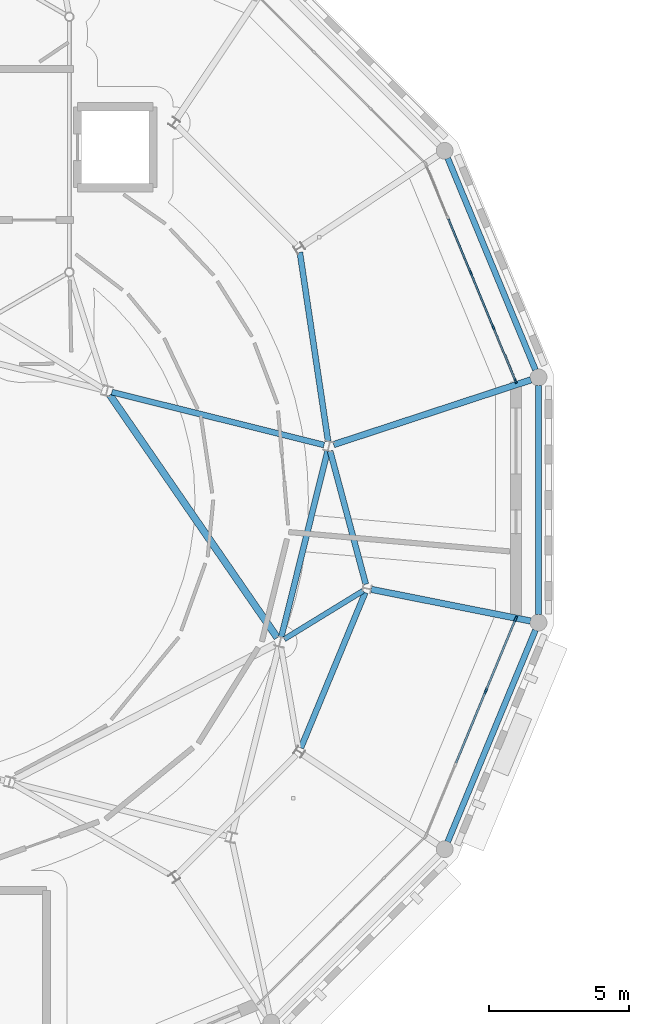
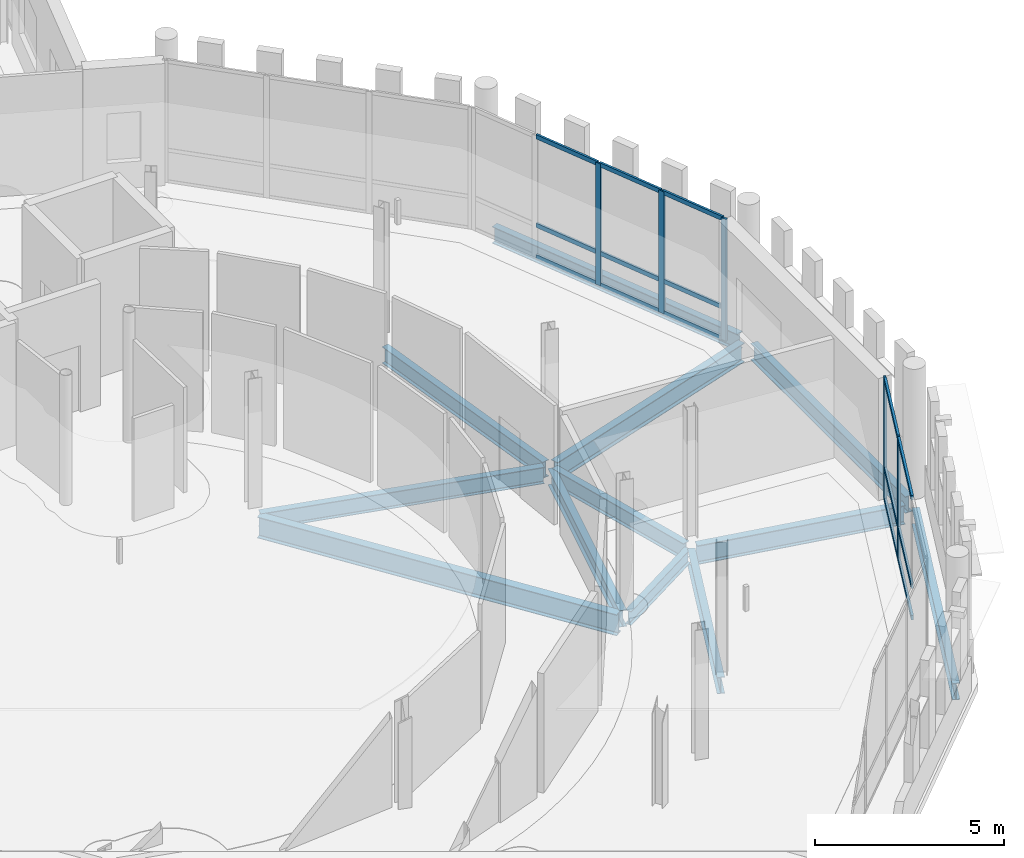
# One storey, part 58 of 125: 20 members, 12 beams, 2 elements without a shape of their own.
"""IFC4 building model written with IfcOpenShell, lengths in metres."""

from ifc_helpers import new_model, si_unit, direction, frame, origin, origin_2d, place, context, subcontext, project, spatial, rectangle, i_section, extrude, material, material_profile, profile_set, type_object, element, aggregate, save


model = new_model("IFC4")

# Units and contexts
model_context = context("Model", 3, precision=1e-05, world=origin(), true_north=direction((0.0, 1.0)))
body_context = subcontext(model_context, "Body", "Model", "MODEL_VIEW")
ifc_project = project(units=[si_unit("LENGTHUNIT", "METRE"), si_unit("AREAUNIT", "SQUARE_METRE"), si_unit("VOLUMEUNIT", "CUBIC_METRE"), si_unit("PLANEANGLEUNIT", "RADIAN"), si_unit("MASSUNIT", "GRAM", prefix="KILO")], contexts=[model_context])

# Site, building, storey
site_placement = place(None, origin())
site = spatial("IfcSite", under=ifc_project, at=site_placement, CompositionType="ELEMENT")
building_placement = place(site_placement, origin())
building = spatial("IfcBuilding", under=site, at=building_placement, Name="Wrenclough Park School", CompositionType="ELEMENT")
storey_placement = place(building_placement, frame((0.0, 0.0, 4.199951171875)))
storey = spatial("IfcBuildingStorey", under=building, at=storey_placement, Name="L01", CompositionType="ELEMENT", Elevation=4.199951171875)

# Curtain wall, members
ifc_material_1 = material(Name="Thermally broken aluminium and low-e glass curtain wall", Category="aluminium")
curtain_wall_type_1 = type_object("IfcCurtainWallType", Name="ENV-CW-13", PredefinedType="USERDEFINED", material=ifc_material_1)
curtain_wall_1_placement = place(storey_placement, origin())
curtain_wall_1 = element("IfcCurtainWall", 1, at=curtain_wall_1_placement, inside=storey, type_object=curtain_wall_type_1, Name="L01 recessed curtain wall assembly 124", ObjectType="CURTAIN WALL", PredefinedType="USERDEFINED")
ifc_material_2 = material(Name="Thermally broken anodised aluminium", Category="aluminium")
ifc_material_profile_1 = material_profile(ifc_material_2, rectangle(XDim=0.06494140625, YDim=0.179931640625, at=origin_2d()), Name="AL MULLION 65x180")
ifc_profile_set_1 = profile_set([ifc_material_profile_1], Name="Thermally broken anodised aluminium")
member_type_1 = type_object("IfcMemberType", Name="ENV-CWM-2", PredefinedType="MULLION", material=ifc_profile_set_1)
member_1_placement = place(storey_placement, frame((175.097412109375, 34.617431640625, 0.0), z_axis=(0.0, 0.0, 1.0), x_axis=(0.923878191205, 0.382686670549, 0.0)))
member_1 = element("IfcMember", 2, at=member_1_placement, type_object=member_type_1, Name="CW-13 mullion 3", PredefinedType="MULLION", context=body_context, shape_type="SweptSolid", body=[
    extrude(rectangle(XDim=0.06494140625, YDim=0.179931640625, at=origin_2d()), origin(), (0.0, 0.0, 1.0), 3.93994140625),
])
member_2_placement = place(storey_placement, frame((175.904052734375, 32.670166015625, 0.0), z_axis=(0.0, 0.0, 1.0), x_axis=(0.923878191205, 0.382686670549, 0.0)))
member_2 = element("IfcMember", 3, at=member_2_placement, type_object=member_type_1, Name="CW-13 mullion 4", PredefinedType="MULLION", context=body_context, shape_type="SweptSolid", body=[
    extrude(rectangle(XDim=0.06494140625, YDim=0.179931640625, at=origin_2d()), origin(), (0.0, 0.0, 1.0), 3.93994140625),
])
member_3_placement = place(storey_placement, frame((176.6982421875, 30.7529296875, 0.0), z_axis=(0.0, 0.0, 1.0), x_axis=(0.923878191205, 0.382686670549, 0.0)))
member_3 = element("IfcMember", 4, at=member_3_placement, type_object=member_type_1, Name="CW-13 mullion 5", PredefinedType="MULLION", context=body_context, shape_type="SweptSolid", body=[
    extrude(rectangle(XDim=0.06494140625, YDim=0.179931640625, at=origin_2d()), origin(), (0.0, 0.0, 1.0), 3.93994140625),
])

curtain_wall_type_2 = type_object("IfcCurtainWallType", Name="ENV-CW-14", PredefinedType="USERDEFINED", material=ifc_material_1)
curtain_wall_2_placement = place(storey_placement, origin())
curtain_wall_2 = element("IfcCurtainWall", 5, at=curtain_wall_2_placement, inside=storey, type_object=curtain_wall_type_2, Name="L01 recessed curtain wall assembly 125", ObjectType="CURTAIN WALL", PredefinedType="USERDEFINED")
ifc_material_profile_2 = material_profile(ifc_material_2, rectangle(XDim=0.070068359375, YDim=0.199951171875, at=origin_2d()), Name="AL MULLION 70x200")
ifc_profile_set_2 = profile_set([ifc_material_profile_2], Name="Thermally broken anodised aluminium")
member_type_2 = type_object("IfcMemberType", Name="ENV-CWM-3", PredefinedType="MULLION", material=ifc_profile_set_2)
member_4_placement = place(storey_placement, frame((176.697265625, 22.24462890625, 0.0), z_axis=(0.0, 0.0, 1.0), x_axis=(0.923878191205, -0.382686670549, 0.0)))
member_4 = element("IfcMember", 6, at=member_4_placement, type_object=member_type_2, Name="CW-14 mullion 1", PredefinedType="MULLION", context=body_context, shape_type="SweptSolid", body=[
    extrude(rectangle(XDim=0.070068359375, YDim=0.199951171875, at=origin_2d()), origin(), (0.0, 0.0, 1.0), 3.93994140625),
])
member_5_placement = place(storey_placement, frame((175.63525390625, 19.6806640625, 0.0), z_axis=(0.0, 0.0, 1.0), x_axis=(0.923878191205, -0.382686670549, 0.0)))
member_5 = element("IfcMember", 7, at=member_5_placement, type_object=member_type_2, Name="CW-14 mullion 2", PredefinedType="MULLION", context=body_context, shape_type="SweptSolid", body=[
    extrude(rectangle(XDim=0.070068359375, YDim=0.199951171875, at=origin_2d()), origin(), (0.0, 0.0, 1.0), 3.93994140625),
])

# Member
ifc_material_profile_3 = material_profile(ifc_material_2, rectangle(XDim=0.06494140625, YDim=0.139892578125, at=origin_2d()), Name="AL TRANSOM 65x140")
ifc_profile_set_3 = profile_set([ifc_material_profile_3], Name="Thermally broken anodised aluminium")
member_type_3 = type_object("IfcMemberType", Name="ENV-CWT-2", PredefinedType="USERDEFINED", material=ifc_profile_set_3)
member_6_placement = place(storey_placement, frame((174.30322265625, 36.53466796875, 0.032470703125), z_axis=(0.382696608873, -0.923874074513, 0.0), x_axis=(0.923874074513, 0.382696608873, 0.0)))
member_6 = element("IfcMember", 8, at=member_6_placement, type_object=member_type_3, Name="CW-13 transom 2.1", ObjectType="TRANSOM", PredefinedType="USERDEFINED", context=body_context, shape_type="SweptSolid", body=[
    extrude(rectangle(XDim=0.06494140625, YDim=0.139892578125, at=origin_2d()), origin(), (0.0, 0.0, 1.0), 2.042724609375),
])

member_7_placement = place(storey_placement, frame((174.30322265625, 36.53466796875, 1.050048828125), z_axis=(0.382696608873, -0.923874074513, 0.0), x_axis=(0.923874074513, 0.382696608873, 0.0)))
member_7 = element("IfcMember", 9, at=member_7_placement, type_object=member_type_3, Name="CW-13 transom 2.2", ObjectType="TRANSOM", PredefinedType="USERDEFINED", context=body_context, shape_type="SweptSolid", body=[
    extrude(rectangle(XDim=0.06494140625, YDim=0.139892578125, at=origin_2d()), origin(), (0.0, 0.0, 1.0), 2.042724609375),
])

member_8_placement = place(storey_placement, frame((174.30322265625, 36.53466796875, 3.907470703125), z_axis=(0.382696608873, -0.923874074513, 0.0), x_axis=(0.923874074513, 0.382696608873, 0.0)))
member_8 = element("IfcMember", 10, at=member_8_placement, type_object=member_type_3, Name="CW-13 transom 2.3", ObjectType="TRANSOM", PredefinedType="USERDEFINED", context=body_context, shape_type="SweptSolid", body=[
    extrude(rectangle(XDim=0.06494140625, YDim=0.139892578125, at=origin_2d()), origin(), (0.0, 0.0, 1.0), 2.042724609375),
])

member_9_placement = place(storey_placement, frame((175.10986328125, 34.58740234375, 0.032470703125), z_axis=(0.382696608873, -0.923874074513, 0.0), x_axis=(0.923874074513, 0.382696608873, 0.0)))
member_9 = element("IfcMember", 11, at=member_9_placement, type_object=member_type_3, Name="CW-13 transom 3.1", ObjectType="TRANSOM", PredefinedType="USERDEFINED", context=body_context, shape_type="SweptSolid", body=[
    extrude(rectangle(XDim=0.06494140625, YDim=0.139892578125, at=origin_2d()), origin(), (0.0, 0.0, 1.0), 2.042724609375),
])

member_10_placement = place(storey_placement, frame((175.10986328125, 34.58740234375, 1.050048828125), z_axis=(0.382696608873, -0.923874074513, 0.0), x_axis=(0.923874074513, 0.382696608873, 0.0)))
member_10 = element("IfcMember", 12, at=member_10_placement, type_object=member_type_3, Name="CW-13 transom 3.2", ObjectType="TRANSOM", PredefinedType="USERDEFINED", context=body_context, shape_type="SweptSolid", body=[
    extrude(rectangle(XDim=0.06494140625, YDim=0.139892578125, at=origin_2d()), origin(), (0.0, 0.0, 1.0), 2.042724609375),
])

member_11_placement = place(storey_placement, frame((175.10986328125, 34.58740234375, 3.907470703125), z_axis=(0.382696608873, -0.923874074513, 0.0), x_axis=(0.923874074513, 0.382696608873, 0.0)))
member_11 = element("IfcMember", 13, at=member_11_placement, type_object=member_type_3, Name="CW-13 transom 3.3", ObjectType="TRANSOM", PredefinedType="USERDEFINED", context=body_context, shape_type="SweptSolid", body=[
    extrude(rectangle(XDim=0.06494140625, YDim=0.139892578125, at=origin_2d()), origin(), (0.0, 0.0, 1.0), 2.042724609375),
])

member_12_placement = place(storey_placement, frame((175.91650390625, 32.64013671875, 0.032470703125), z_axis=(0.382691459218, -0.923876207639, 0.0), x_axis=(0.923876207639, 0.382691459218, 0.0)))
member_12 = element("IfcMember", 14, at=member_12_placement, type_object=member_type_3, Name="CW-13 transom 4.1", ObjectType="TRANSOM", PredefinedType="USERDEFINED", context=body_context, shape_type="SweptSolid", body=[
    extrude(rectangle(XDim=0.06494140625, YDim=0.139892578125, at=origin_2d()), origin(), (0.0, 0.0, 1.0), 2.01025390625),
])

member_13_placement = place(storey_placement, frame((175.91650390625, 32.64013671875, 1.050048828125), z_axis=(0.382691459218, -0.923876207639, 0.0), x_axis=(0.923876207639, 0.382691459218, 0.0)))
member_13 = element("IfcMember", 15, at=member_13_placement, type_object=member_type_3, Name="CW-13 transom 4.2", ObjectType="TRANSOM", PredefinedType="USERDEFINED", context=body_context, shape_type="SweptSolid", body=[
    extrude(rectangle(XDim=0.06494140625, YDim=0.139892578125, at=origin_2d()), origin(), (0.0, 0.0, 1.0), 2.01025390625),
])

member_14_placement = place(storey_placement, frame((175.91650390625, 32.64013671875, 3.907470703125), z_axis=(0.382691459218, -0.923876207639, 0.0), x_axis=(0.923876207639, 0.382691459218, 0.0)))
member_14 = element("IfcMember", 16, at=member_14_placement, type_object=member_type_3, Name="CW-13 transom 4.3", ObjectType="TRANSOM", PredefinedType="USERDEFINED", context=body_context, shape_type="SweptSolid", body=[
    extrude(rectangle(XDim=0.06494140625, YDim=0.139892578125, at=origin_2d()), origin(), (0.0, 0.0, 1.0), 2.01025390625),
])

aggregate(curtain_wall_1, [member_1, member_2, member_3, member_6, member_7, member_8, member_9, member_10, member_11, member_12, member_13, member_14])

ifc_material_profile_4 = material_profile(ifc_material_2, rectangle(XDim=0.070068359375, YDim=0.14990234375, at=origin_2d()), Name="AL TRANSOM 70x150")
ifc_profile_set_4 = profile_set([ifc_material_profile_4], Name="Thermally broken anodised aluminium")
member_type_4 = type_object("IfcMemberType", Name="ENV-CWT-3", PredefinedType="USERDEFINED", material=ifc_profile_set_4)
member_15_placement = place(storey_placement, frame((176.683837890625, 22.21240234375, 0.03515625), z_axis=(-0.382659995816, -0.923889239899, 0.0), x_axis=(0.923889239899, -0.382659995816, 0.0)))
member_15 = element("IfcMember", 17, at=member_15_placement, type_object=member_type_4, Name="CW-14 transom 1.1", ObjectType="TRANSOM", PredefinedType="USERDEFINED", context=body_context, shape_type="SweptSolid", body=[
    extrude(rectangle(XDim=0.070068359375, YDim=0.14990234375, at=origin_2d()), origin(), (0.0, 0.0, 1.0), 2.705078125),
])

member_16_placement = place(storey_placement, frame((176.683837890625, 22.21240234375, 1.050048828125), z_axis=(-0.382659995816, -0.923889239899, 0.0), x_axis=(0.923889239899, -0.382659995816, 0.0)))
member_16 = element("IfcMember", 18, at=member_16_placement, type_object=member_type_4, Name="CW-14 transom 1.2", ObjectType="TRANSOM", PredefinedType="USERDEFINED", context=body_context, shape_type="SweptSolid", body=[
    extrude(rectangle(XDim=0.070068359375, YDim=0.14990234375, at=origin_2d()), origin(), (0.0, 0.0, 1.0), 2.705078125),
])

member_17_placement = place(storey_placement, frame((176.683837890625, 22.21240234375, 3.905029296875), z_axis=(-0.382659995816, -0.923889239899, 0.0), x_axis=(0.923889239899, -0.382659995816, 0.0)))
member_17 = element("IfcMember", 19, at=member_17_placement, type_object=member_type_4, Name="CW-14 transom 1.3", ObjectType="TRANSOM", PredefinedType="USERDEFINED", context=body_context, shape_type="SweptSolid", body=[
    extrude(rectangle(XDim=0.070068359375, YDim=0.14990234375, at=origin_2d()), origin(), (0.0, 0.0, 1.0), 2.705078125),
])

member_18_placement = place(storey_placement, frame((175.621826171875, 19.6484375, 0.03515625), z_axis=(-0.382653421457, -0.923891962865, 0.0), x_axis=(0.923891962865, -0.382653421457, 0.0)))
member_18 = element("IfcMember", 20, at=member_18_placement, type_object=member_type_4, Name="CW-14 transom 2.1", ObjectType="TRANSOM", PredefinedType="USERDEFINED", context=body_context, shape_type="SweptSolid", body=[
    extrude(rectangle(XDim=0.070068359375, YDim=0.14990234375, at=origin_2d()), origin(), (0.0, 0.0, 1.0), 2.740234375),
])

member_19_placement = place(storey_placement, frame((175.621826171875, 19.6484375, 1.050048828125), z_axis=(-0.382653421457, -0.923891962865, 0.0), x_axis=(0.923891962865, -0.382653421457, 0.0)))
member_19 = element("IfcMember", 21, at=member_19_placement, type_object=member_type_4, Name="CW-14 transom 2.2", ObjectType="TRANSOM", PredefinedType="USERDEFINED", context=body_context, shape_type="SweptSolid", body=[
    extrude(rectangle(XDim=0.070068359375, YDim=0.14990234375, at=origin_2d()), origin(), (0.0, 0.0, 1.0), 2.740234375),
])

member_20_placement = place(storey_placement, frame((175.621826171875, 19.6484375, 3.905029296875), z_axis=(-0.382653421457, -0.923891962865, 0.0), x_axis=(0.923891962865, -0.382653421457, 0.0)))
member_20 = element("IfcMember", 22, at=member_20_placement, type_object=member_type_4, Name="CW-14 transom 2.3", ObjectType="TRANSOM", PredefinedType="USERDEFINED", context=body_context, shape_type="SweptSolid", body=[
    extrude(rectangle(XDim=0.070068359375, YDim=0.14990234375, at=origin_2d()), origin(), (0.0, 0.0, 1.0), 2.740234375),
])

aggregate(curtain_wall_2, [member_4, member_5, member_15, member_16, member_17, member_18, member_19, member_20])

# Beams
ifc_material_3 = material(Name="Structural steel S355", Category="steel")
ifc_material_profile_5 = material_profile(ifc_material_3, i_section(OverallWidth=0.18994140625, OverallDepth=0.453369140625, WebThickness=0.008544921875, FlangeThickness=0.0126953125, FilletRadius=0.01025390625, at=origin_2d()), Name="UKB 457x191x67")
ifc_profile_set_5 = profile_set([ifc_material_profile_5], Name="Structural steel S355")
beam_type_1 = type_object("IfcBeamType", Name="STR-BM-UKB457A", PredefinedType="BEAM", material=ifc_profile_set_5)
beam_1_placement = place(storey_placement, frame((168.438720703125, 21.530029296875, -0.49169921875), z_axis=(0.852431271911, 0.522839293348, 0.0), x_axis=(-0.522839293348, 0.852431271911, 0.0)))
element("IfcBeam", 23, at=beam_1_placement, inside=storey, type_object=beam_type_1, Name="Primary frame continuity tie beam 0033", PredefinedType="BEAM", context=body_context, shape_type="SweptSolid", body=[
    extrude(i_section(OverallWidth=0.18994140625, OverallDepth=0.453369140625, WebThickness=0.008544921875, FlangeThickness=0.0126953125, FilletRadius=0.01025390625, at=origin_2d()), origin(), (0.0, 0.0, 1.0), 3.3037109375),
])
ifc_material_profile_6 = material_profile(ifc_material_3, i_section(OverallWidth=0.209228515625, OverallDepth=0.533203125, WebThickness=0.010009765625, FlangeThickness=0.015625, FilletRadius=0.0126953125, at=origin_2d()), Name="UKB 533x210x92")
ifc_profile_set_6 = profile_set([ifc_material_profile_6], Name="Structural steel S355")
beam_type_2 = type_object("IfcBeamType", Name="STR-BM-UKB533A", PredefinedType="BEAM", material=ifc_profile_set_6)
beam_2_placement = place(storey_placement, frame((170.001708984375, 28.599609375, -0.531494140625), z_axis=(-0.147908088962, 0.989001110828, 0.0), x_axis=(-0.989001110828, -0.147908088962, 0.0)))
element("IfcBeam", 24, at=beam_2_placement, inside=storey, type_object=beam_type_2, Name="D1 L01 middle ring beam 1", PredefinedType="BEAM", context=body_context, shape_type="SweptSolid", body=[
    extrude(i_section(OverallWidth=0.209228515625, OverallDepth=0.533203125, WebThickness=0.010009765625, FlangeThickness=0.015625, FilletRadius=0.0126953125, at=origin_2d()), origin(), (0.0, 0.0, 1.0), 6.8203125),
])
beam_3_placement = place(storey_placement, frame((169.02978515625, 17.64501953125, -0.531494140625), z_axis=(0.382715548278, 0.923866229011, 0.0), x_axis=(-0.923866229011, 0.382715548278, 0.0)))
element("IfcBeam", 25, at=beam_3_placement, inside=storey, type_object=beam_type_2, Name="D1 L01 middle ring beam 15", PredefinedType="BEAM", context=body_context, shape_type="SweptSolid", body=[
    extrude(i_section(OverallWidth=0.209228515625, OverallDepth=0.533203125, WebThickness=0.010009765625, FlangeThickness=0.015625, FilletRadius=0.0126953125, at=origin_2d()), origin(), (0.0, 0.0, 1.0), 6.006591796875),
])
beam_4_placement = place(storey_placement, frame((171.34814453125, 23.4912109375, -0.531494140625), z_axis=(-0.258606438296, 0.965982769035, 0.0), x_axis=(-0.965982769035, -0.258606438296, 0.0)))
element("IfcBeam", 26, at=beam_4_placement, inside=storey, type_object=beam_type_2, Name="D1 L01 middle ring beam 16", PredefinedType="BEAM", context=body_context, shape_type="SweptSolid", body=[
    extrude(i_section(OverallWidth=0.209228515625, OverallDepth=0.533203125, WebThickness=0.010009765625, FlangeThickness=0.015625, FilletRadius=0.0126953125, at=origin_2d()), origin(), (0.0, 0.0, 1.0), 4.926025390625),
])
beam_5_placement = place(storey_placement, frame((162.27734375, 30.35498046875, -0.531494140625), z_axis=(0.970296782276, -0.241917660177, 0.0), x_axis=(0.241917660177, 0.970296782276, 0.0)))
element("IfcBeam", 27, at=beam_5_placement, inside=storey, type_object=beam_type_2, Name="D1 L01 hall frame girder 6.9", PredefinedType="BEAM", context=body_context, shape_type="SweptSolid", body=[
    extrude(i_section(OverallWidth=0.209228515625, OverallDepth=0.533203125, WebThickness=0.010009765625, FlangeThickness=0.015625, FilletRadius=0.0126953125, at=origin_2d()), origin(), (0.0, 0.0, 1.0), 7.80908203125),
])
beam_6_placement = place(storey_placement, frame((168.329345703125, 21.610107421875, -0.531494140625), z_axis=(0.241922689034, 0.97029552845, 0.0), x_axis=(-0.97029552845, 0.241922689034, 0.0)))
element("IfcBeam", 28, at=beam_6_placement, inside=storey, type_object=beam_type_2, Name="D1 L01 hall frame girder 8.9", PredefinedType="BEAM", context=body_context, shape_type="SweptSolid", body=[
    extrude(i_section(OverallWidth=0.209228515625, OverallDepth=0.533203125, WebThickness=0.010009765625, FlangeThickness=0.015625, FilletRadius=0.0126953125, at=origin_2d()), origin(), (0.0, 0.0, 1.0), 6.842041015625),
])
ifc_material_profile_7 = material_profile(ifc_material_3, i_section(OverallWidth=0.210693359375, OverallDepth=0.53955078125, WebThickness=0.01171875, FlangeThickness=0.018798828125, FilletRadius=0.0126953125, at=origin_2d()), Name="UKB 533x210x109")
ifc_profile_set_7 = profile_set([ifc_material_profile_7], Name="Structural steel S355")
beam_type_3 = type_object("IfcBeamType", Name="STR-BM-UKB533B", PredefinedType="SPANDREL", material=ifc_profile_set_7)
for number, where, z_axis, x_axis, name in (
    (29, (177.408447265625, 31.14599609375, -0.53466796875), (-0.382699586795, 0.923872840962, 0.0), (-0.923872840962, -0.382699586795, 0.0), "D1 L01 outer ring spandrel beam 1"),
    (30, (174.276611328125, 14.29345703125, -0.53466796875), (0.382699586795, 0.923872840962, 0.0), (-0.923872840962, 0.382699586795, 0.0), "D1 L01 outer ring spandrel beam 15"),
    (31, (177.5185546875, 22.408203125, -0.53466796875), (0.0, 1.0, 0.0), (-1.0, 0.0, 0.0), "D1 L01 outer ring spandrel beam 16"),
):
    element("IfcBeam", number, at=place(storey_placement, frame(where, z_axis=z_axis, x_axis=x_axis)), inside=storey, type_object=beam_type_3, Name=name, PredefinedType="SPANDREL", context=body_context, shape_type="SweptSolid", body=[
        extrude(i_section(OverallWidth=0.210693359375, OverallDepth=0.53955078125, WebThickness=0.01171875, FlangeThickness=0.018798828125, FilletRadius=0.0126953125, at=origin_2d()), origin(), (0.0, 0.0, 1.0), 8.18359375),
    ])
ifc_material_profile_8 = material_profile(ifc_material_3, i_section(OverallWidth=0.22900390625, OverallDepth=0.6123046875, WebThickness=0.011962890625, FlangeThickness=0.01953125, FilletRadius=0.0126953125, at=origin_2d()), Name="UKB 610x229x125")
ifc_profile_set_8 = profile_set([ifc_material_profile_8], Name="Structural steel S355")
beam_type_4 = type_object("IfcBeamType", Name="STR-BM-UKB610", PredefinedType="BEAM", material=ifc_profile_set_8)
beam_7_placement = place(storey_placement, frame((177.244873046875, 30.7900390625, -0.571044921875), z_axis=(-0.950176965525, -0.311710978609, 0.0), x_axis=(0.311710978609, -0.950176965525, 0.0)))
element("IfcBeam", 32, at=beam_7_placement, inside=storey, type_object=beam_type_4, Name="D1 L01 radial girder 1", PredefinedType="BEAM", context=body_context, shape_type="SweptSolid", body=[
    extrude(i_section(OverallWidth=0.22900390625, OverallDepth=0.6123046875, WebThickness=0.011962890625, FlangeThickness=0.01953125, FilletRadius=0.0126953125, at=origin_2d()), origin(), (0.0, 0.0, 1.0), 7.416259765625),
])
beam_8_placement = place(storey_placement, frame((177.236083984375, 22.176513671875, -0.571044921875), z_axis=(-0.98079040151, 0.195064574709, 0.0), x_axis=(-0.195064574709, -0.98079040151, 0.0)))
element("IfcBeam", 33, at=beam_8_placement, inside=storey, type_object=beam_type_4, Name="D1 L01 radial girder 16", PredefinedType="BEAM", context=body_context, shape_type="SweptSolid", body=[
    extrude(i_section(OverallWidth=0.22900390625, OverallDepth=0.6123046875, WebThickness=0.011962890625, FlangeThickness=0.01953125, FilletRadius=0.0126953125, at=origin_2d()), origin(), (0.0, 0.0, 1.0), 5.804931640625),
])
ifc_material_profile_9 = material_profile(ifc_material_3, i_section(OverallWidth=0.253662109375, OverallDepth=0.68359375, WebThickness=0.012451171875, FlangeThickness=0.01904296875, FilletRadius=0.01513671875, at=origin_2d()), Name="UKB 686x254x140")
ifc_profile_set_9 = profile_set([ifc_material_profile_9], Name="Structural steel S355")
beam_type_5 = type_object("IfcBeamType", Name="STR-BM-UKB686", PredefinedType="BEAM", material=ifc_profile_set_9)
beam_9_placement = place(storey_placement, frame((162.20556640625, 30.251220703125, -0.606689453125), z_axis=(0.567825061004, -0.823149257483, 0.0), x_axis=(0.823149257483, 0.567825061004, 0.0)))
element("IfcBeam", 34, at=beam_9_placement, inside=storey, type_object=beam_type_5, Name="D1 L01 hall frame girder 6.8", PredefinedType="BEAM", context=body_context, shape_type="SweptSolid", body=[
    extrude(i_section(OverallWidth=0.253662109375, OverallDepth=0.68359375, WebThickness=0.012451171875, FlangeThickness=0.01904296875, FilletRadius=0.01513671875, at=origin_2d()), origin(), (0.0, 0.0, 1.0), 10.529541015625),
])

save(model, "model.ifc")
